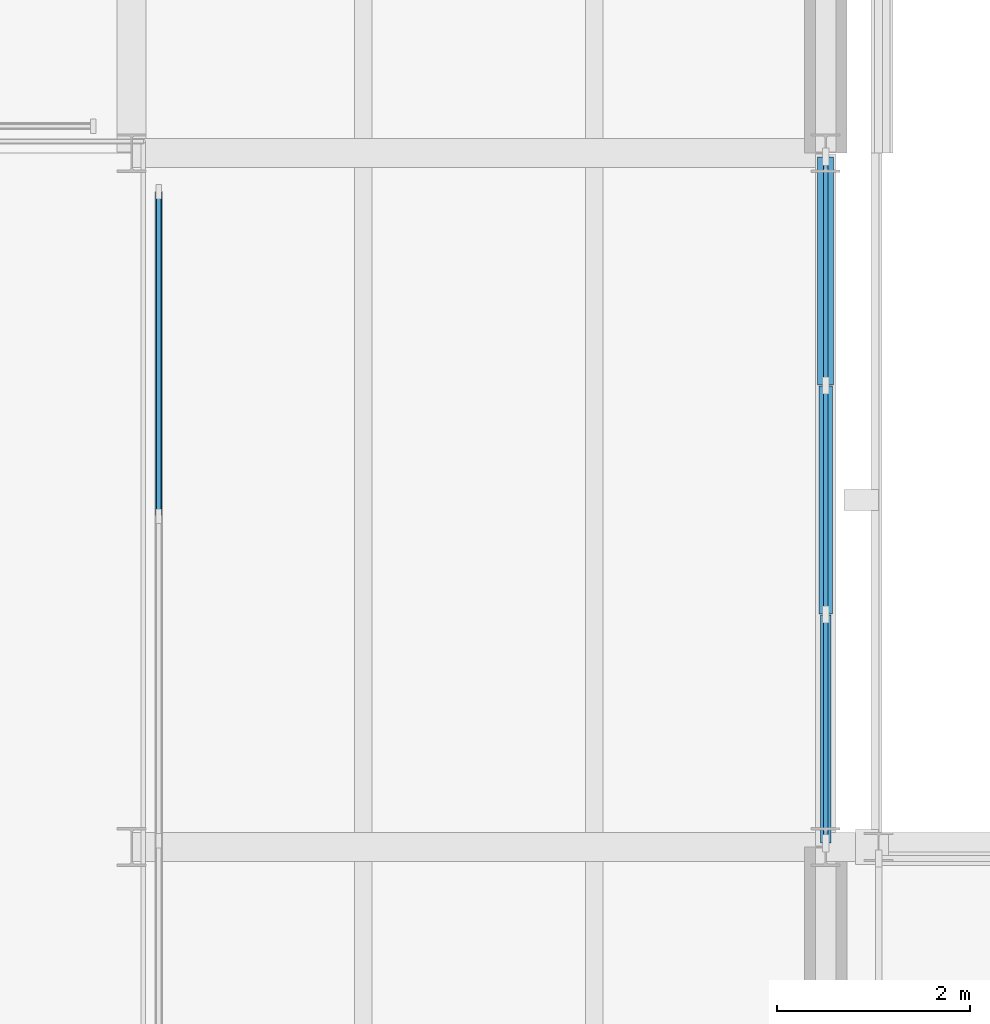
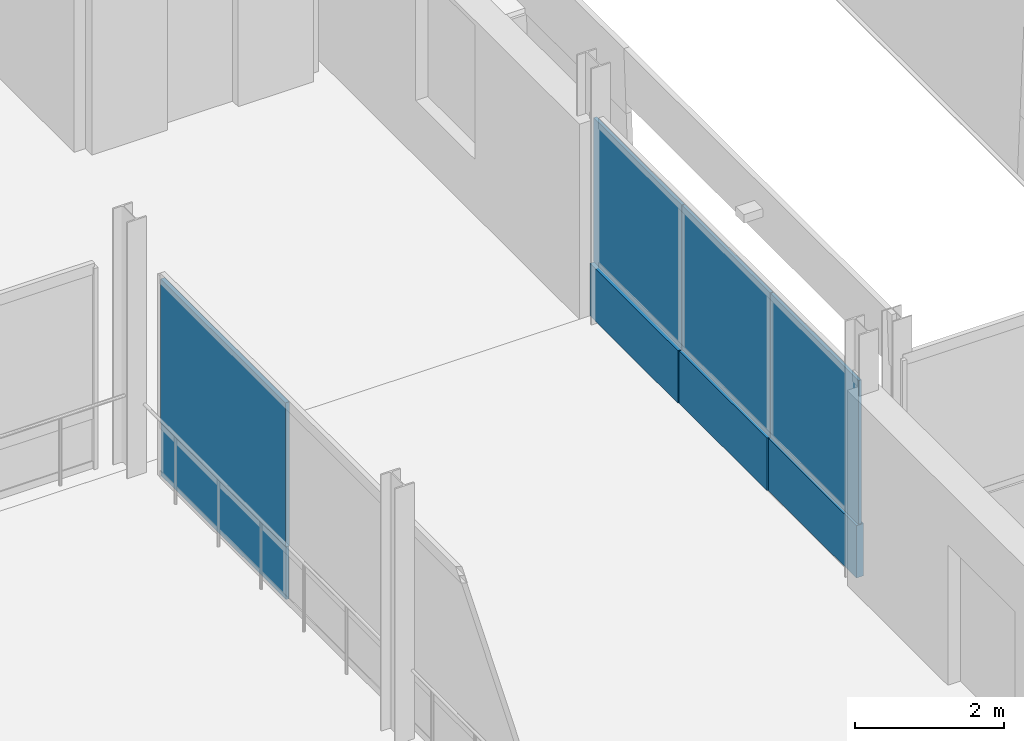
# One storey, part 55 of 115: 8 plates, 2 elements without a shape of their own.
"""IFC4 building model written with IfcOpenShell, lengths in metres."""

from ifc_helpers import new_model, si_unit, direction, frame, origin, origin_2d, place, context, subcontext, project, spatial, rectangle, extrude, material, layer, layer_set, type_object, element, aggregate, save


model = new_model("IFC4")

# Units and contexts
model_context = context("Model", 3, precision=1e-05, world=origin(), true_north=direction((0.0, 1.0)))
body_context = subcontext(model_context, "Body", "Model", "MODEL_VIEW")
ifc_project = project(units=[si_unit("LENGTHUNIT", "METRE"), si_unit("AREAUNIT", "SQUARE_METRE"), si_unit("VOLUMEUNIT", "CUBIC_METRE"), si_unit("PLANEANGLEUNIT", "RADIAN"), si_unit("MASSUNIT", "GRAM", prefix="KILO")], contexts=[model_context])

# Site, building, storey
site_placement = place(None, origin())
site = spatial("IfcSite", under=ifc_project, at=site_placement, CompositionType="ELEMENT")
building_placement = place(site_placement, origin())
building = spatial("IfcBuilding", under=site, at=building_placement, Name="Narikvali Park Central Library", CompositionType="ELEMENT")
storey_placement = place(building_placement, frame((0.0, 0.0, 10.199951171875)))
storey = spatial("IfcBuildingStorey", under=building, at=storey_placement, Name="L02", CompositionType="ELEMENT", Elevation=10.199951171875)

# Curtain wall, plate
ifc_material_1 = material(Name="Anodised Bronze Aluminium", Category="aluminium")
ifc_layer_1 = layer(ifc_material_1, 0.219970703125, Name="Anodised Bronze Aluminium")
ifc_layer_set_1 = layer_set([ifc_layer_1], Name="Anodised Bronze Aluminium")
curtain_wall_type = type_object("IfcCurtainWallType", Name="Atrium Tall Curtain Wall System", PredefinedType="NOTDEFINED", material=ifc_layer_set_1)
curtain_wall_1_placement = place(storey_placement, origin())
curtain_wall_1 = element("IfcCurtainWall", 1, at=curtain_wall_1_placement, inside=storey, type_object=curtain_wall_type, Name="Atrium Tall Curtain Wall System CW-V4-L02-E-05", PredefinedType="NOTDEFINED")
ifc_material_2 = material(Name="Anodised Bronze Acoustic Spandrel Cassette")
ifc_layer_2 = layer(ifc_material_2, 0.1650390625, Name="Anodised Bronze Acoustic Spandrel Cassette")
ifc_layer_set_2 = layer_set([ifc_layer_2], Name="Anodised Bronze Acoustic Spandrel Cassette")
plate_type_1 = type_object("IfcPlateType", Name="Curtain Wall Acoustic Plenum Louvre Cassette 165", PredefinedType="CURTAIN_PANEL", material=ifc_layer_set_2)
plate_1_placement = place(storey_placement, frame((57.60009765625, 85.1748046875, 0.03515625), z_axis=(0.0, 0.0, 1.0), x_axis=(0.0, 1.0, 0.0)))
plate_1 = element("IfcPlate", 2, at=plate_1_placement, type_object=plate_type_1, Name="CW-V4-L02-E-05 Panel 02-0", PredefinedType="CURTAIN_PANEL", context=body_context, shape_type="SweptSolid", body=[
    extrude(rectangle(XDim=2.36474609375, YDim=0.1650390625, at=origin_2d()), origin(), (0.0, 0.0, 1.0), 0.860107421875),
])

curtain_wall_2_placement = place(storey_placement, origin())
curtain_wall_2 = element("IfcCurtainWall", 3, at=curtain_wall_2_placement, inside=storey, type_object=curtain_wall_type, Name="Atrium Tall Curtain Wall System CW-INT-V4-L02-E2", PredefinedType="NOTDEFINED")
ifc_material_3 = material(Name="Heavy Acoustic Laminated Clerestory Glazing", Category="glass")
ifc_layer_3 = layer(ifc_material_3, 0.06396484375, Name="Heavy Acoustic Laminated Clerestory Glazing")
ifc_layer_set_3 = layer_set([ifc_layer_3], Name="Heavy Acoustic Laminated Clerestory Glazing")
plate_type_2 = type_object("IfcPlateType", Name="Curtain Wall Clerestory Laminated Acoustic Glass 64", PredefinedType="CURTAIN_PANEL", material=ifc_layer_set_3)
plate_2_placement = place(storey_placement, frame((50.679931640625, 84.316650390625, 0.90478515625), z_axis=(0.0, 0.0, 1.0), x_axis=(0.0, 1.0, 0.0)))
plate_2 = element("IfcPlate", 4, at=plate_2_placement, type_object=plate_type_2, Name="CW-INT-V4-L02-E2 Panel 02-1", PredefinedType="CURTAIN_PANEL", context=body_context, shape_type="SweptSolid", body=[
    extrude(rectangle(XDim=3.356689453125, YDim=0.06396484375, at=origin_2d()), origin(), (0.0, 0.0, 1.0), 2.360107421875),
])

# Plate
ifc_material_4 = material(Name="Anodised Bronze Insulated Spandrel Cassette")
ifc_layer_4 = layer(ifc_material_4, 0.110107421875, Name="Anodised Bronze Insulated Spandrel Cassette")
ifc_layer_set_4 = layer_set([ifc_layer_4], Name="Anodised Bronze Insulated Spandrel Cassette")
plate_type_3 = type_object("IfcPlateType", Name="Curtain Wall Insulated Bronze Spandrel Cassette 110", PredefinedType="CURTAIN_PANEL", material=ifc_layer_set_4)
plate_3_placement = place(storey_placement, frame((57.60009765625, 80.42529296875, 0.03515625), z_axis=(0.0, 0.0, 1.0), x_axis=(0.0, 1.0, 0.0)))
plate_3 = element("IfcPlate", 5, at=plate_3_placement, type_object=plate_type_3, Name="CW-V4-L02-E-05 Panel 00-0", PredefinedType="CURTAIN_PANEL", context=body_context, shape_type="SweptSolid", body=[
    extrude(rectangle(XDim=2.36474609375, YDim=0.110107421875, at=origin_2d()), origin(), (0.0, 0.0, 1.0), 0.860107421875),
])

ifc_material_5 = material(Name="Mineral-Wool Shadow-Box Spandrel Assembly")
ifc_layer_5 = layer(ifc_material_5, 0.139892578125, Name="Mineral-Wool Shadow-Box Spandrel Assembly")
ifc_layer_set_5 = layer_set([ifc_layer_5], Name="Mineral-Wool Shadow-Box Spandrel Assembly")
plate_type_4 = type_object("IfcPlateType", Name="Curtain Wall Shadow-Box Mineral Spandrel Panel 140", PredefinedType="CURTAIN_PANEL", material=ifc_layer_set_5)
plate_4_placement = place(storey_placement, frame((57.60009765625, 82.800048828125, 0.03515625), z_axis=(0.0, 0.0, 1.0), x_axis=(0.0, 1.0, 0.0)))
plate_4 = element("IfcPlate", 6, at=plate_4_placement, type_object=plate_type_4, Name="CW-V4-L02-E-05 Panel 01-0", PredefinedType="CURTAIN_PANEL", context=body_context, shape_type="SweptSolid", body=[
    extrude(rectangle(XDim=2.36474609375, YDim=0.139892578125, at=origin_2d()), origin(), (0.0, 0.0, 1.0), 0.860107421875),
])

ifc_material_6 = material(Name="Triple Low-E Acoustic Laminated Glazing", Category="glass")
ifc_layer_6 = layer(ifc_material_6, 0.048095703125, Name="Triple Low-E Acoustic Laminated Glazing")
ifc_layer_set_6 = layer_set([ifc_layer_6], Name="Triple Low-E Acoustic Laminated Glazing")
plate_type_5 = type_object("IfcPlateType", Name="Curtain Wall Triple Solar-Acoustic Glazing 48", PredefinedType="CURTAIN_PANEL", material=ifc_layer_set_6)
plate_5_placement = place(storey_placement, frame((57.60009765625, 80.42529296875, 0.90478515625), z_axis=(0.0, 0.0, 1.0), x_axis=(0.0, 1.0, 0.0)))
plate_5 = element("IfcPlate", 7, at=plate_5_placement, type_object=plate_type_5, Name="CW-V4-L02-E-05 Panel 00-1", PredefinedType="CURTAIN_PANEL", context=body_context, shape_type="SweptSolid", body=[
    extrude(rectangle(XDim=2.36474609375, YDim=0.048095703125, at=origin_2d()), origin(), (0.0, 0.0, 1.0), 2.360107421875),
])

plate_6_placement = place(storey_placement, frame((57.60009765625, 82.800048828125, 0.90478515625), z_axis=(0.0, 0.0, 1.0), x_axis=(0.0, 1.0, 0.0)))
plate_6 = element("IfcPlate", 8, at=plate_6_placement, type_object=plate_type_5, Name="CW-V4-L02-E-05 Panel 01-1", PredefinedType="CURTAIN_PANEL", context=body_context, shape_type="SweptSolid", body=[
    extrude(rectangle(XDim=2.36474609375, YDim=0.048095703125, at=origin_2d()), origin(), (0.0, 0.0, 1.0), 2.360107421875),
])

plate_7_placement = place(storey_placement, frame((57.60009765625, 85.1748046875, 0.90478515625), z_axis=(0.0, 0.0, 1.0), x_axis=(0.0, 1.0, 0.0)))
plate_7 = element("IfcPlate", 9, at=plate_7_placement, type_object=plate_type_5, Name="CW-V4-L02-E-05 Panel 02-1", PredefinedType="CURTAIN_PANEL", context=body_context, shape_type="SweptSolid", body=[
    extrude(rectangle(XDim=2.36474609375, YDim=0.048095703125, at=origin_2d()), origin(), (0.0, 0.0, 1.0), 2.360107421875),
])

aggregate(curtain_wall_1, [plate_3, plate_5, plate_4, plate_6, plate_1, plate_7])

plate_8_placement = place(storey_placement, frame((50.679931640625, 84.316650390625, 0.03515625), z_axis=(0.0, 0.0, 1.0), x_axis=(0.0, 1.0, 0.0)))
plate_8 = element("IfcPlate", 10, at=plate_8_placement, type_object=plate_type_5, Name="CW-INT-V4-L02-E2 Panel 02-0", PredefinedType="CURTAIN_PANEL", context=body_context, shape_type="SweptSolid", body=[
    extrude(rectangle(XDim=3.356689453125, YDim=0.048095703125, at=origin_2d()), origin(), (0.0, 0.0, 1.0), 0.860107421875),
])

aggregate(curtain_wall_2, [plate_8, plate_2])

save(model, "model.ifc")
